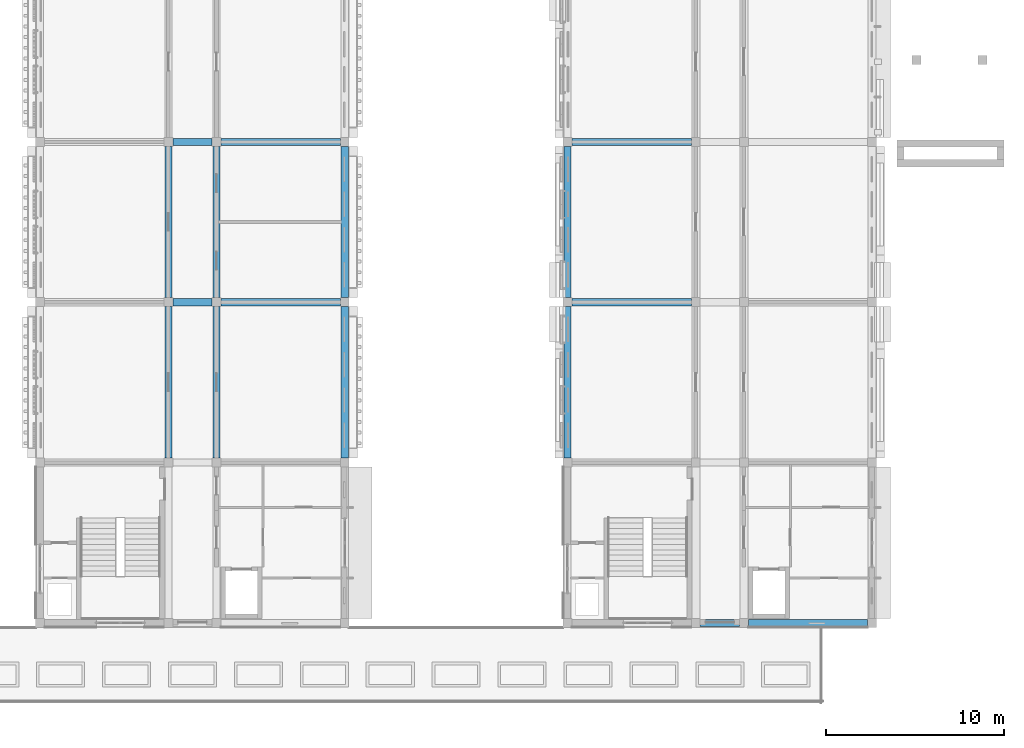
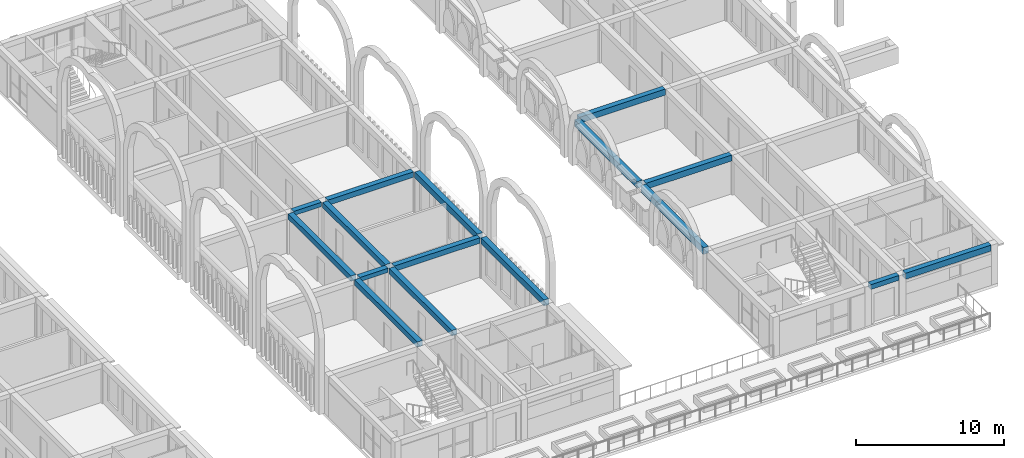
# One storey, part 29 of 82: 16 beams.
"""IFC4 building model written with IfcOpenShell, lengths in metres."""

from ifc_helpers import new_model, si_unit, direction, frame, origin, origin_2d, place, context, subcontext, project, spatial, rectangle, extrude, material, material_profile, profile_set, type_object, element, save


model = new_model("IFC4")

# Units and contexts
model_context = context("Model", 3, precision=1e-05, world=origin(), true_north=direction((0.0, 1.0)))
body_context = subcontext(model_context, "Body", "Model", "MODEL_VIEW")
ifc_project = project(units=[si_unit("LENGTHUNIT", "METRE"), si_unit("AREAUNIT", "SQUARE_METRE"), si_unit("VOLUMEUNIT", "CUBIC_METRE"), si_unit("PLANEANGLEUNIT", "RADIAN"), si_unit("MASSUNIT", "GRAM", prefix="KILO")], contexts=[model_context])

# Site, building, storey
site_placement = place(None, origin())
site = spatial("IfcSite", under=ifc_project, at=site_placement, CompositionType="ELEMENT")
building_placement = place(site_placement, origin())
building = spatial("IfcBuilding", under=site, at=building_placement, Name="Elbe Cascade School", CompositionType="ELEMENT")
storey_placement = place(building_placement, frame((0.0, 0.0, 4.5)))
storey = spatial("IfcBuildingStorey", under=building, at=storey_placement, Name="L01", CompositionType="ELEMENT", Elevation=4.5)

# Beams
ifc_material_1 = material(Name="Concrete C30/37", Category="concrete")
ifc_material_profile_1 = material_profile(ifc_material_1, rectangle(XDim=0.39990234375, YDim=0.35009765625, at=origin_2d()), Name="RC 400x350")
ifc_profile_set_1 = profile_set([ifc_material_profile_1], Name="Concrete C30/37")
beam_type_1 = type_object("IfcBeamType", Name="RC 400x350 beam", PredefinedType="BEAM", material=ifc_profile_set_1)
for number, where, z_axis, x_axis, name in (
    (1, (135.64990234375, 24.0, 3.175048828125), (1.0, 0.0, 0.0), (0.0, 1.0, 0.0), "RC 400x350 beam B3"),
    (2, (135.64990234375, 33.0, 3.175048828125), (1.0, 0.0, 0.0), (0.0, 1.0, 0.0), "RC 400x350 beam B3"),
):
    element("IfcBeam", number, at=place(storey_placement, frame(where, z_axis=z_axis, x_axis=x_axis)), inside=storey, type_object=beam_type_1, Name=name, PredefinedType="BEAM", context=body_context, shape_type="SweptSolid", body=[
        extrude(rectangle(XDim=0.39990234375, YDim=0.35009765625, at=origin_2d()), origin(), (0.0, 0.0, 1.0), 2.2001953125),
    ])
ifc_material_2 = material(Name="Concrete C30/37", Category="concrete")
ifc_material_profile_2 = material_profile(ifc_material_2, rectangle(XDim=0.39990234375, YDim=0.39990234375, at=origin_2d()), Name="RC 400x400")
ifc_profile_set_2 = profile_set([ifc_material_profile_2], Name="Concrete C30/37")
beam_type_2 = type_object("IfcBeamType", Name="RC 400x400 beam", PredefinedType="BEAM", material=ifc_profile_set_2)
beam_placement = place(storey_placement, frame((165.25, 6.0, 3.10009765625), z_axis=(1.0, 0.0, 0.0), x_axis=(0.0, 1.0, 0.0)))
element("IfcBeam", 3, at=beam_placement, inside=storey, type_object=beam_type_2, Name="RC 400x400 beam B5", PredefinedType="BEAM", context=body_context, shape_type="SweptSolid", body=[
    extrude(rectangle(XDim=0.39990234375, YDim=0.39990234375, at=origin_2d()), origin(), (0.0, 0.0, 1.0), 2.199951171875),
])
ifc_material_3 = material(Name="Concrete C30/37", Category="concrete")
ifc_material_profile_3 = material_profile(ifc_material_3, rectangle(XDim=0.39990234375, YDim=0.449951171875, at=origin_2d()), Name="RC 400x450")
ifc_profile_set_3 = profile_set([ifc_material_profile_3], Name="Concrete C30/37")
beam_type_3 = type_object("IfcBeamType", Name="RC 400x450 beam", PredefinedType="BEAM", material=ifc_profile_set_3)
for number, where, z_axis, x_axis, name in (
    (4, (135.39990234375, 15.25, 3.125), (0.0, 1.0, 0.0), (-1.0, 0.0, 0.0), "RC 400x450 beam B2"),
    (5, (135.39990234375, 24.25, 3.125), (0.0, 1.0, 0.0), (-1.0, 0.0, 0.0), "RC 400x450 beam B2"),
    (6, (138.10009765625, 15.25, 3.125), (0.0, 1.0, 0.0), (-1.0, 0.0, 0.0), "RC 400x450 beam B2"),
    (7, (138.10009765625, 24.25, 3.125), (0.0, 1.0, 0.0), (-1.0, 0.0, 0.0), "RC 400x450 beam B2"),
):
    element("IfcBeam", number, at=place(storey_placement, frame(where, z_axis=z_axis, x_axis=x_axis)), inside=storey, type_object=beam_type_3, Name=name, PredefinedType="BEAM", context=body_context, shape_type="SweptSolid", body=[
        extrude(rectangle(XDim=0.39990234375, YDim=0.449951171875, at=origin_2d()), origin(), (0.0, 0.0, 1.0), 8.5),
    ])
for number, where, z_axis, x_axis, name in (
    (8, (138.35009765625, 24.0, 3.125), (1.0, 0.0, 0.0), (0.0, 1.0, 0.0), "RC 400x450 beam B2"),
    (9, (138.35009765625, 33.0, 3.125), (1.0, 0.0, 0.0), (0.0, 1.0, 0.0), "RC 400x450 beam B2"),
):
    element("IfcBeam", number, at=place(storey_placement, frame(where, z_axis=z_axis, x_axis=x_axis)), inside=storey, type_object=beam_type_3, Name=name, PredefinedType="BEAM", context=body_context, shape_type="SweptSolid", body=[
        extrude(rectangle(XDim=0.39990234375, YDim=0.449951171875, at=origin_2d()), origin(), (0.0, 0.0, 1.0), 6.699951171875),
    ])
ifc_material_4 = material(Name="Concrete C30/37", Category="concrete")
ifc_material_profile_4 = material_profile(ifc_material_4, rectangle(XDim=0.39990234375, YDim=0.5, at=origin_2d()), Name="RC 400x500")
ifc_profile_set_4 = profile_set([ifc_material_profile_4], Name="Concrete C30/37")
beam_type_4 = type_object("IfcBeamType", Name="RC 400x500 beam", PredefinedType="BEAM", material=ifc_profile_set_4)
for number, where, z_axis, x_axis, name in (
    (10, (145.300048828125, 15.25, 3.10009765625), (0.0, 1.0, 0.0), (-1.0, 0.0, 0.0), "RC 400x500 beam B1"),
    (11, (145.300048828125, 24.25, 3.10009765625), (0.0, 1.0, 0.0), (-1.0, 0.0, 0.0), "RC 400x500 beam B1"),
):
    element("IfcBeam", number, at=place(storey_placement, frame(where, z_axis=z_axis, x_axis=x_axis)), inside=storey, type_object=beam_type_4, Name=name, PredefinedType="BEAM", context=body_context, shape_type="SweptSolid", body=[
        extrude(rectangle(XDim=0.39990234375, YDim=0.5, at=origin_2d()), origin(), (0.0, 0.0, 1.0), 8.5),
    ])
for number, where, z_axis, x_axis, name in (
    (12, (167.949951171875, 6.0, 3.050048828125), (1.0, 0.0, 0.0), (0.0, 1.0, 0.0), "RC 400x500 beam B1"),
    (13, (158.050048828125, 24.0, 3.050048828125), (1.0, 0.0, 0.0), (0.0, 1.0, 0.0), "RC 400x500 beam B1"),
    (14, (158.050048828125, 33.0, 3.050048828125), (1.0, 0.0, 0.0), (0.0, 1.0, 0.0), "RC 400x500 beam B1"),
):
    element("IfcBeam", number, at=place(storey_placement, frame(where, z_axis=z_axis, x_axis=x_axis)), inside=storey, type_object=beam_type_4, Name=name, PredefinedType="BEAM", context=body_context, shape_type="SweptSolid", body=[
        extrude(rectangle(XDim=0.39990234375, YDim=0.5, at=origin_2d()), origin(), (0.0, 0.0, 1.0), 6.699951171875),
    ])
ifc_material_5 = material(Name="Concrete C30/37", Category="concrete")
ifc_material_profile_5 = material_profile(ifc_material_5, rectangle(XDim=0.39990234375, YDim=0.550048828125, at=origin_2d()), Name="RC 400x550")
ifc_profile_set_5 = profile_set([ifc_material_profile_5], Name="Concrete C30/37")
beam_type_5 = type_object("IfcBeamType", Name="RC 400x550 beam", PredefinedType="BEAM", material=ifc_profile_set_5)
for number, where, z_axis, x_axis, name in (
    (15, (157.800048828125, 15.25, 3.02490234375), (0.0, 1.0, 0.0), (-1.0, 0.0, 0.0), "RC 400x550 beam B4"),
    (16, (157.800048828125, 24.25, 3.02490234375), (0.0, 1.0, 0.0), (-1.0, 0.0, 0.0), "RC 400x550 beam B4"),
):
    element("IfcBeam", number, at=place(storey_placement, frame(where, z_axis=z_axis, x_axis=x_axis)), inside=storey, type_object=beam_type_5, Name=name, PredefinedType="BEAM", context=body_context, shape_type="SweptSolid", body=[
        extrude(rectangle(XDim=0.39990234375, YDim=0.550048828125, at=origin_2d()), origin(), (0.0, 0.0, 1.0), 8.5),
    ])

save(model, "model.ifc")
